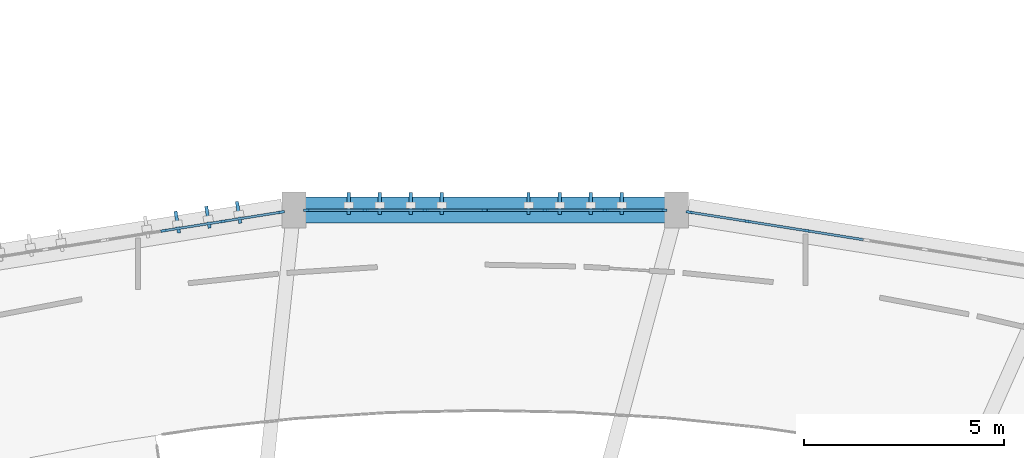
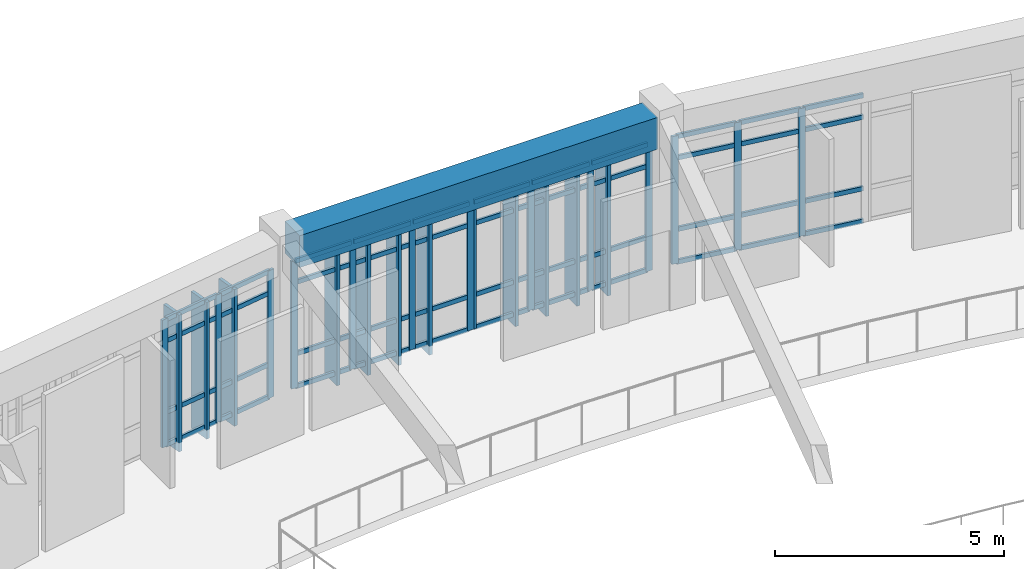
# One storey, part 21 of 54: 69 members, 1 beam, 4 elements without a shape of their own.
"""IFC4 building model written with IfcOpenShell, lengths in metres."""

from ifc_helpers import new_model, si_unit, direction, frame, origin, origin_2d, place, context, subcontext, project, spatial, rectangle, extrude, material, layer, layer_set, material_profile, profile_set, type_object, element, aggregate, save


model = new_model("IFC4")

# Units and contexts
model_context = context("Model", 3, precision=1e-05, world=origin(), true_north=direction((0.0, 1.0)))
body_context = subcontext(model_context, "Body", "Model", "MODEL_VIEW")
ifc_project = project(units=[si_unit("LENGTHUNIT", "METRE"), si_unit("AREAUNIT", "SQUARE_METRE"), si_unit("VOLUMEUNIT", "CUBIC_METRE"), si_unit("PLANEANGLEUNIT", "RADIAN"), si_unit("MASSUNIT", "GRAM", prefix="KILO")], contexts=[model_context])

# Site, building, storey
site_placement = place(None, origin())
site = spatial("IfcSite", under=ifc_project, at=site_placement, CompositionType="ELEMENT")
building_placement = place(site_placement, origin())
building = spatial("IfcBuilding", under=site, at=building_placement, Name="Miralva Faculty of Natural Sciences", CompositionType="ELEMENT")
storey_placement = place(building_placement, frame((0.0, 0.0, 19.5)))
storey = spatial("IfcBuildingStorey", under=building, at=storey_placement, Name="L04", CompositionType="ELEMENT", Elevation=19.5)

# Beam
ifc_material_1 = material(Name="Concrete C40/50", Category="concrete")
ifc_material_profile_1 = material_profile(ifc_material_1, rectangle(XDim=0.64990234375, YDim=0.85009765625, at=origin_2d()), Name="RC 650x850")
ifc_profile_set_1 = profile_set([ifc_material_profile_1], Name="Concrete C40/50")
beam_type = type_object("IfcBeamType", Name="BM-SP03", PredefinedType="SPANDREL", material=ifc_profile_set_1)
beam_placement = place(storey_placement, frame((94.513916015625, 39.81005859375, 3.8349609375), z_axis=(-1.0, 0.0, 0.0), x_axis=(0.0, -1.0, 0.0)))
element("IfcBeam", 1, at=beam_placement, inside=storey, type_object=beam_type, Name="Curved chord girder SHOUT L04-5", PredefinedType="SPANDREL", context=body_context, shape_type="SweptSolid", body=[
    extrude(rectangle(XDim=0.64990234375, YDim=0.85009765625, at=origin_2d()), origin(), (0.0, 0.0, 1.0), 9.02783203125),
])

# Curtain wall, members
ifc_material_2 = material(Name="Laminated solar-control glass", Category="glass")
ifc_layer = layer(ifc_material_2, 0.179931640625, Name="CW-ARC-L03")
ifc_layer_set = layer_set([ifc_layer], Name="Laminated solar-control glass")
curtain_wall_type = type_object("IfcCurtainWallType", Name="CW-ARC-L03", PredefinedType="USERDEFINED", material=ifc_layer_set)
curtain_wall_1_placement = place(storey_placement, origin())
curtain_wall_1 = element("IfcCurtainWall", 2, at=curtain_wall_1_placement, inside=storey, type_object=curtain_wall_type, Name="Curtain wall CW-03 L04-180", ObjectType="UNITISED CURTAIN WALL", PredefinedType="USERDEFINED")
ifc_material_3 = material(Name="Anodised aluminium", Category="aluminium")
ifc_material_profile_2 = material_profile(ifc_material_3, rectangle(XDim=0.06494140625, YDim=0.159912109375, at=origin_2d()), Name="MULLION 65x160")
ifc_profile_set_2 = profile_set([ifc_material_profile_2], Name="Anodised aluminium")
member_type_1 = type_object("IfcMemberType", Name="CW-M02", PredefinedType="MULLION", material=ifc_profile_set_2)
member_1_placement = place(storey_placement, frame((81.965576171875, 39.29736328125, 0.0), z_axis=(0.0, 0.0, 1.0), x_axis=(-0.156414990722, 0.987691424827, 0.0)))
member_1 = element("IfcMember", 3, at=member_1_placement, type_object=member_type_1, Name="CW-03 mullion 2", PredefinedType="MULLION", context=body_context, shape_type="SweptSolid", body=[
    extrude(rectangle(XDim=0.06494140625, YDim=0.159912109375, at=origin_2d()), origin(), (0.0, 0.0, 1.0), 3.405029296875),
])
member_2_placement = place(storey_placement, frame((83.448974609375, 39.532470703125, 0.0), z_axis=(0.0, 0.0, 1.0), x_axis=(-0.156414990722, 0.987691424827, 0.0)))
member_2 = element("IfcMember", 4, at=member_2_placement, type_object=member_type_1, Name="CW-03 mullion 3", PredefinedType="MULLION", context=body_context, shape_type="SweptSolid", body=[
    extrude(rectangle(XDim=0.06494140625, YDim=0.159912109375, at=origin_2d()), origin(), (0.0, 0.0, 1.0), 3.405029296875),
])
member_3_placement = place(storey_placement, frame((84.900390625, 39.76220703125, 0.0), z_axis=(0.0, 0.0, 1.0), x_axis=(-0.156414990722, 0.987691424827, 0.0)))
member_3 = element("IfcMember", 5, at=member_3_placement, type_object=member_type_1, Name="CW-03 mullion 4", PredefinedType="MULLION", context=body_context, shape_type="SweptSolid", body=[
    extrude(rectangle(XDim=0.06494140625, YDim=0.159912109375, at=origin_2d()), origin(), (0.0, 0.0, 1.0), 3.405029296875),
])

curtain_wall_2_placement = place(storey_placement, origin())
curtain_wall_2 = element("IfcCurtainWall", 6, at=curtain_wall_2_placement, inside=storey, type_object=curtain_wall_type, Name="Curtain wall CW-03 L04-181", ObjectType="UNITISED CURTAIN WALL", PredefinedType="USERDEFINED")
member_4_placement = place(storey_placement, frame((85.531494140625, 39.81201171875, 0.0), z_axis=(0.0, 0.0, 1.0), x_axis=(0.0, 1.0, 0.0)))
member_4 = element("IfcMember", 7, at=member_4_placement, type_object=member_type_1, Name="CW-03 mullion 1", PredefinedType="MULLION", context=body_context, shape_type="SweptSolid", body=[
    extrude(rectangle(XDim=0.06494140625, YDim=0.159912109375, at=origin_2d()), origin(), (0.0, 0.0, 1.0), 3.405029296875),
])
member_5_placement = place(storey_placement, frame((86.999267578125, 39.81201171875, 0.0), z_axis=(0.0, 0.0, 1.0), x_axis=(0.0, 1.0, 0.0)))
member_5 = element("IfcMember", 8, at=member_5_placement, type_object=member_type_1, Name="CW-03 mullion 2", PredefinedType="MULLION", context=body_context, shape_type="SweptSolid", body=[
    extrude(rectangle(XDim=0.06494140625, YDim=0.159912109375, at=origin_2d()), origin(), (0.0, 0.0, 1.0), 3.405029296875),
])
member_6_placement = place(storey_placement, frame((88.499755859375, 39.81201171875, 0.0), z_axis=(0.0, 0.0, 1.0), x_axis=(0.0, 1.0, 0.0)))
member_6 = element("IfcMember", 9, at=member_6_placement, type_object=member_type_1, Name="CW-03 mullion 3", PredefinedType="MULLION", context=body_context, shape_type="SweptSolid", body=[
    extrude(rectangle(XDim=0.06494140625, YDim=0.159912109375, at=origin_2d()), origin(), (0.0, 0.0, 1.0), 3.405029296875),
])
member_7_placement = place(storey_placement, frame((89.967529296875, 39.81201171875, 0.0), z_axis=(0.0, 0.0, 1.0), x_axis=(0.0, 1.0, 0.0)))
member_7 = element("IfcMember", 10, at=member_7_placement, type_object=member_type_1, Name="CW-03 mullion 4", PredefinedType="MULLION", context=body_context, shape_type="SweptSolid", body=[
    extrude(rectangle(XDim=0.06494140625, YDim=0.159912109375, at=origin_2d()), origin(), (0.0, 0.0, 1.0), 3.405029296875),
])

curtain_wall_3_placement = place(storey_placement, origin())
curtain_wall_3 = element("IfcCurtainWall", 11, at=curtain_wall_3_placement, inside=storey, type_object=curtain_wall_type, Name="Curtain wall CW-03 L04-182", ObjectType="UNITISED CURTAIN WALL", PredefinedType="USERDEFINED")
member_8_placement = place(storey_placement, frame((90.027587890625, 39.81201171875, 0.0), z_axis=(0.0, 0.0, 1.0), x_axis=(0.0, 1.0, 0.0)))
member_8 = element("IfcMember", 12, at=member_8_placement, type_object=member_type_1, Name="CW-03 mullion 1", PredefinedType="MULLION", context=body_context, shape_type="SweptSolid", body=[
    extrude(rectangle(XDim=0.06494140625, YDim=0.159912109375, at=origin_2d()), origin(), (0.0, 0.0, 1.0), 3.405029296875),
])
member_9_placement = place(storey_placement, frame((91.4970703125, 39.81201171875, 0.0), z_axis=(0.0, 0.0, 1.0), x_axis=(0.0, 1.0, 0.0)))
member_9 = element("IfcMember", 13, at=member_9_placement, type_object=member_type_1, Name="CW-03 mullion 2", PredefinedType="MULLION", context=body_context, shape_type="SweptSolid", body=[
    extrude(rectangle(XDim=0.06494140625, YDim=0.159912109375, at=origin_2d()), origin(), (0.0, 0.0, 1.0), 3.405029296875),
])
member_10_placement = place(storey_placement, frame((92.9990234375, 39.81201171875, 0.0), z_axis=(0.0, 0.0, 1.0), x_axis=(0.0, 1.0, 0.0)))
member_10 = element("IfcMember", 14, at=member_10_placement, type_object=member_type_1, Name="CW-03 mullion 3", PredefinedType="MULLION", context=body_context, shape_type="SweptSolid", body=[
    extrude(rectangle(XDim=0.06494140625, YDim=0.159912109375, at=origin_2d()), origin(), (0.0, 0.0, 1.0), 3.405029296875),
])
member_11_placement = place(storey_placement, frame((94.468505859375, 39.81201171875, 0.0), z_axis=(0.0, 0.0, 1.0), x_axis=(0.0, 1.0, 0.0)))
member_11 = element("IfcMember", 15, at=member_11_placement, type_object=member_type_1, Name="CW-03 mullion 4", PredefinedType="MULLION", context=body_context, shape_type="SweptSolid", body=[
    extrude(rectangle(XDim=0.06494140625, YDim=0.159912109375, at=origin_2d()), origin(), (0.0, 0.0, 1.0), 3.405029296875),
])

curtain_wall_4_placement = place(storey_placement, origin())
curtain_wall_4 = element("IfcCurtainWall", 16, at=curtain_wall_4_placement, inside=storey, type_object=curtain_wall_type, Name="Curtain wall CW-03 L04-183", ObjectType="UNITISED CURTAIN WALL", PredefinedType="USERDEFINED")
member_12_placement = place(storey_placement, frame((95.099609375, 39.76220703125, 0.0), z_axis=(0.0, 0.0, 1.0), x_axis=(0.15640978572, 0.987692249099, 0.0)))
member_12 = element("IfcMember", 17, at=member_12_placement, type_object=member_type_1, Name="CW-03 mullion 1", PredefinedType="MULLION", context=body_context, shape_type="SweptSolid", body=[
    extrude(rectangle(XDim=0.06494140625, YDim=0.159912109375, at=origin_2d()), origin(), (0.0, 0.0, 1.0), 3.405029296875),
])
member_13_placement = place(storey_placement, frame((96.54931640625, 39.53271484375, 0.0), z_axis=(0.0, 0.0, 1.0), x_axis=(0.15640978572, 0.987692249099, 0.0)))
member_13 = element("IfcMember", 18, at=member_13_placement, type_object=member_type_1, Name="CW-03 mullion 2", PredefinedType="MULLION", context=body_context, shape_type="SweptSolid", body=[
    extrude(rectangle(XDim=0.06494140625, YDim=0.159912109375, at=origin_2d()), origin(), (0.0, 0.0, 1.0), 3.405029296875),
])
member_14_placement = place(storey_placement, frame((98.03125, 39.2978515625, 0.0), z_axis=(0.0, 0.0, 1.0), x_axis=(0.15640978572, 0.987692249099, 0.0)))
member_14 = element("IfcMember", 19, at=member_14_placement, type_object=member_type_1, Name="CW-03 mullion 3", PredefinedType="MULLION", context=body_context, shape_type="SweptSolid", body=[
    extrude(rectangle(XDim=0.06494140625, YDim=0.159912109375, at=origin_2d()), origin(), (0.0, 0.0, 1.0), 3.405029296875),
])

# Member
ifc_material_profile_3 = material_profile(ifc_material_3, rectangle(XDim=0.06005859375, YDim=0.1201171875, at=origin_2d()), Name="TRANSOM 60x120")
ifc_profile_set_3 = profile_set([ifc_material_profile_3], Name="Anodised aluminium")
member_type_2 = type_object("IfcMemberType", Name="CW-T02", PredefinedType="USERDEFINED", material=ifc_profile_set_3)
member_15_placement = place(storey_placement, frame((81.99755859375, 39.302490234375, 0.030029296875), z_axis=(0.987684327904, 0.156459798074, 0.0), x_axis=(-0.156459798074, 0.987684327904, 0.0)))
member_15 = element("IfcMember", 20, at=member_15_placement, type_object=member_type_2, Name="CW-03 transom 2.1", ObjectType="TRANSOM", PredefinedType="USERDEFINED", context=body_context, shape_type="SweptSolid", body=[
    extrude(rectangle(XDim=0.06005859375, YDim=0.1201171875, at=origin_2d()), origin(), (0.0, 0.0, 1.0), 1.43701171875),
])

member_16_placement = place(storey_placement, frame((81.99755859375, 39.302490234375, 0.89990234375), z_axis=(0.987684327904, 0.156459798074, 0.0), x_axis=(-0.156459798074, 0.987684327904, 0.0)))
member_16 = element("IfcMember", 21, at=member_16_placement, type_object=member_type_2, Name="CW-03 transom 2.2", ObjectType="TRANSOM", PredefinedType="USERDEFINED", context=body_context, shape_type="SweptSolid", body=[
    extrude(rectangle(XDim=0.06005859375, YDim=0.1201171875, at=origin_2d()), origin(), (0.0, 0.0, 1.0), 1.43701171875),
])

member_17_placement = place(storey_placement, frame((81.99755859375, 39.302490234375, 2.804931640625), z_axis=(0.987684327904, 0.156459798074, 0.0), x_axis=(-0.156459798074, 0.987684327904, 0.0)))
member_17 = element("IfcMember", 22, at=member_17_placement, type_object=member_type_2, Name="CW-03 transom 2.3", ObjectType="TRANSOM", PredefinedType="USERDEFINED", context=body_context, shape_type="SweptSolid", body=[
    extrude(rectangle(XDim=0.06005859375, YDim=0.1201171875, at=origin_2d()), origin(), (0.0, 0.0, 1.0), 1.43701171875),
])

member_18_placement = place(storey_placement, frame((81.99755859375, 39.302490234375, 3.375), z_axis=(0.987684327904, 0.156459798074, 0.0), x_axis=(-0.156459798074, 0.987684327904, 0.0)))
member_18 = element("IfcMember", 23, at=member_18_placement, type_object=member_type_2, Name="CW-03 transom 2.4", ObjectType="TRANSOM", PredefinedType="USERDEFINED", context=body_context, shape_type="SweptSolid", body=[
    extrude(rectangle(XDim=0.06005859375, YDim=0.1201171875, at=origin_2d()), origin(), (0.0, 0.0, 1.0), 1.43701171875),
])

member_19_placement = place(storey_placement, frame((83.481201171875, 39.537353515625, 0.030029296875), z_axis=(0.987686739548, 0.156444573318, 0.0), x_axis=(-0.156444573318, 0.987686739548, 0.0)))
member_19 = element("IfcMember", 24, at=member_19_placement, type_object=member_type_2, Name="CW-03 transom 3.1", ObjectType="TRANSOM", PredefinedType="USERDEFINED", context=body_context, shape_type="SweptSolid", body=[
    extrude(rectangle(XDim=0.06005859375, YDim=0.1201171875, at=origin_2d()), origin(), (0.0, 0.0, 1.0), 1.404541015625),
])

member_20_placement = place(storey_placement, frame((83.481201171875, 39.537353515625, 0.89990234375), z_axis=(0.987686739548, 0.156444573318, 0.0), x_axis=(-0.156444573318, 0.987686739548, 0.0)))
member_20 = element("IfcMember", 25, at=member_20_placement, type_object=member_type_2, Name="CW-03 transom 3.2", ObjectType="TRANSOM", PredefinedType="USERDEFINED", context=body_context, shape_type="SweptSolid", body=[
    extrude(rectangle(XDim=0.06005859375, YDim=0.1201171875, at=origin_2d()), origin(), (0.0, 0.0, 1.0), 1.404541015625),
])

member_21_placement = place(storey_placement, frame((83.481201171875, 39.537353515625, 2.804931640625), z_axis=(0.987686739548, 0.156444573318, 0.0), x_axis=(-0.156444573318, 0.987686739548, 0.0)))
member_21 = element("IfcMember", 26, at=member_21_placement, type_object=member_type_2, Name="CW-03 transom 3.3", ObjectType="TRANSOM", PredefinedType="USERDEFINED", context=body_context, shape_type="SweptSolid", body=[
    extrude(rectangle(XDim=0.06005859375, YDim=0.1201171875, at=origin_2d()), origin(), (0.0, 0.0, 1.0), 1.404541015625),
])

member_22_placement = place(storey_placement, frame((83.481201171875, 39.537353515625, 3.375), z_axis=(0.987686739548, 0.156444573318, 0.0), x_axis=(-0.156444573318, 0.987686739548, 0.0)))
member_22 = element("IfcMember", 27, at=member_22_placement, type_object=member_type_2, Name="CW-03 transom 3.4", ObjectType="TRANSOM", PredefinedType="USERDEFINED", context=body_context, shape_type="SweptSolid", body=[
    extrude(rectangle(XDim=0.06005859375, YDim=0.1201171875, at=origin_2d()), origin(), (0.0, 0.0, 1.0), 1.404541015625),
])

aggregate(curtain_wall_1, [member_1, member_2, member_3, member_15, member_16, member_17, member_18, member_19, member_20, member_21, member_22])

member_23_placement = place(storey_placement, frame((85.56396484375, 39.81201171875, 0.030029296875), z_axis=(1.0, 0.0, 0.0), x_axis=(0.0, 1.0, 0.0)))
member_23 = element("IfcMember", 28, at=member_23_placement, type_object=member_type_2, Name="CW-03 transom 1.1", ObjectType="TRANSOM", PredefinedType="USERDEFINED", context=body_context, shape_type="SweptSolid", body=[
    extrude(rectangle(XDim=0.06005859375, YDim=0.1201171875, at=origin_2d()), origin(), (0.0, 0.0, 1.0), 1.40283203125),
])

member_24_placement = place(storey_placement, frame((85.56396484375, 39.81201171875, 0.89990234375), z_axis=(1.0, 0.0, 0.0), x_axis=(0.0, 1.0, 0.0)))
member_24 = element("IfcMember", 29, at=member_24_placement, type_object=member_type_2, Name="CW-03 transom 1.2", ObjectType="TRANSOM", PredefinedType="USERDEFINED", context=body_context, shape_type="SweptSolid", body=[
    extrude(rectangle(XDim=0.06005859375, YDim=0.1201171875, at=origin_2d()), origin(), (0.0, 0.0, 1.0), 1.40283203125),
])

member_25_placement = place(storey_placement, frame((85.56396484375, 39.81201171875, 2.804931640625), z_axis=(1.0, 0.0, 0.0), x_axis=(0.0, 1.0, 0.0)))
member_25 = element("IfcMember", 30, at=member_25_placement, type_object=member_type_2, Name="CW-03 transom 1.3", ObjectType="TRANSOM", PredefinedType="USERDEFINED", context=body_context, shape_type="SweptSolid", body=[
    extrude(rectangle(XDim=0.06005859375, YDim=0.1201171875, at=origin_2d()), origin(), (0.0, 0.0, 1.0), 1.40283203125),
])

member_26_placement = place(storey_placement, frame((85.56396484375, 39.81201171875, 3.375), z_axis=(1.0, 0.0, 0.0), x_axis=(0.0, 1.0, 0.0)))
member_26 = element("IfcMember", 31, at=member_26_placement, type_object=member_type_2, Name="CW-03 transom 1.4", ObjectType="TRANSOM", PredefinedType="USERDEFINED", context=body_context, shape_type="SweptSolid", body=[
    extrude(rectangle(XDim=0.06005859375, YDim=0.1201171875, at=origin_2d()), origin(), (0.0, 0.0, 1.0), 1.40283203125),
])

member_27_placement = place(storey_placement, frame((87.03173828125, 39.81201171875, 0.030029296875), z_axis=(1.0, 0.0, 0.0), x_axis=(0.0, 1.0, 0.0)))
member_27 = element("IfcMember", 32, at=member_27_placement, type_object=member_type_2, Name="CW-03 transom 2.1", ObjectType="TRANSOM", PredefinedType="USERDEFINED", context=body_context, shape_type="SweptSolid", body=[
    extrude(rectangle(XDim=0.06005859375, YDim=0.1201171875, at=origin_2d()), origin(), (0.0, 0.0, 1.0), 1.435546875),
])

member_28_placement = place(storey_placement, frame((87.03173828125, 39.81201171875, 0.89990234375), z_axis=(1.0, 0.0, 0.0), x_axis=(0.0, 1.0, 0.0)))
member_28 = element("IfcMember", 33, at=member_28_placement, type_object=member_type_2, Name="CW-03 transom 2.2", ObjectType="TRANSOM", PredefinedType="USERDEFINED", context=body_context, shape_type="SweptSolid", body=[
    extrude(rectangle(XDim=0.06005859375, YDim=0.1201171875, at=origin_2d()), origin(), (0.0, 0.0, 1.0), 1.435546875),
])

member_29_placement = place(storey_placement, frame((87.03173828125, 39.81201171875, 2.804931640625), z_axis=(1.0, 0.0, 0.0), x_axis=(0.0, 1.0, 0.0)))
member_29 = element("IfcMember", 34, at=member_29_placement, type_object=member_type_2, Name="CW-03 transom 2.3", ObjectType="TRANSOM", PredefinedType="USERDEFINED", context=body_context, shape_type="SweptSolid", body=[
    extrude(rectangle(XDim=0.06005859375, YDim=0.1201171875, at=origin_2d()), origin(), (0.0, 0.0, 1.0), 1.435546875),
])

member_30_placement = place(storey_placement, frame((87.03173828125, 39.81201171875, 3.375), z_axis=(1.0, 0.0, 0.0), x_axis=(0.0, 1.0, 0.0)))
member_30 = element("IfcMember", 35, at=member_30_placement, type_object=member_type_2, Name="CW-03 transom 2.4", ObjectType="TRANSOM", PredefinedType="USERDEFINED", context=body_context, shape_type="SweptSolid", body=[
    extrude(rectangle(XDim=0.06005859375, YDim=0.1201171875, at=origin_2d()), origin(), (0.0, 0.0, 1.0), 1.435546875),
])

member_31_placement = place(storey_placement, frame((88.5322265625, 39.81201171875, 0.030029296875), z_axis=(1.0, 0.0, 0.0), x_axis=(0.0, 1.0, 0.0)))
member_31 = element("IfcMember", 36, at=member_31_placement, type_object=member_type_2, Name="CW-03 transom 3.1", ObjectType="TRANSOM", PredefinedType="USERDEFINED", context=body_context, shape_type="SweptSolid", body=[
    extrude(rectangle(XDim=0.06005859375, YDim=0.1201171875, at=origin_2d()), origin(), (0.0, 0.0, 1.0), 1.40283203125),
])

member_32_placement = place(storey_placement, frame((88.5322265625, 39.81201171875, 0.89990234375), z_axis=(1.0, 0.0, 0.0), x_axis=(0.0, 1.0, 0.0)))
member_32 = element("IfcMember", 37, at=member_32_placement, type_object=member_type_2, Name="CW-03 transom 3.2", ObjectType="TRANSOM", PredefinedType="USERDEFINED", context=body_context, shape_type="SweptSolid", body=[
    extrude(rectangle(XDim=0.06005859375, YDim=0.1201171875, at=origin_2d()), origin(), (0.0, 0.0, 1.0), 1.40283203125),
])

member_33_placement = place(storey_placement, frame((88.5322265625, 39.81201171875, 2.804931640625), z_axis=(1.0, 0.0, 0.0), x_axis=(0.0, 1.0, 0.0)))
member_33 = element("IfcMember", 38, at=member_33_placement, type_object=member_type_2, Name="CW-03 transom 3.3", ObjectType="TRANSOM", PredefinedType="USERDEFINED", context=body_context, shape_type="SweptSolid", body=[
    extrude(rectangle(XDim=0.06005859375, YDim=0.1201171875, at=origin_2d()), origin(), (0.0, 0.0, 1.0), 1.40283203125),
])

member_34_placement = place(storey_placement, frame((88.5322265625, 39.81201171875, 3.375), z_axis=(1.0, 0.0, 0.0), x_axis=(0.0, 1.0, 0.0)))
member_34 = element("IfcMember", 39, at=member_34_placement, type_object=member_type_2, Name="CW-03 transom 3.4", ObjectType="TRANSOM", PredefinedType="USERDEFINED", context=body_context, shape_type="SweptSolid", body=[
    extrude(rectangle(XDim=0.06005859375, YDim=0.1201171875, at=origin_2d()), origin(), (0.0, 0.0, 1.0), 1.40283203125),
])

aggregate(curtain_wall_2, [member_4, member_5, member_6, member_7, member_23, member_24, member_25, member_26, member_27, member_28, member_29, member_30, member_31, member_32, member_33, member_34])

member_35_placement = place(storey_placement, frame((90.06005859375, 39.81201171875, 0.030029296875), z_axis=(1.0, 0.0, 0.0), x_axis=(0.0, 1.0, 0.0)))
member_35 = element("IfcMember", 40, at=member_35_placement, type_object=member_type_2, Name="CW-03 transom 1.1", ObjectType="TRANSOM", PredefinedType="USERDEFINED", context=body_context, shape_type="SweptSolid", body=[
    extrude(rectangle(XDim=0.06005859375, YDim=0.1201171875, at=origin_2d()), origin(), (0.0, 0.0, 1.0), 1.404541015625),
])

member_36_placement = place(storey_placement, frame((90.06005859375, 39.81201171875, 0.89990234375), z_axis=(1.0, 0.0, 0.0), x_axis=(0.0, 1.0, 0.0)))
member_36 = element("IfcMember", 41, at=member_36_placement, type_object=member_type_2, Name="CW-03 transom 1.2", ObjectType="TRANSOM", PredefinedType="USERDEFINED", context=body_context, shape_type="SweptSolid", body=[
    extrude(rectangle(XDim=0.06005859375, YDim=0.1201171875, at=origin_2d()), origin(), (0.0, 0.0, 1.0), 1.404541015625),
])

member_37_placement = place(storey_placement, frame((90.06005859375, 39.81201171875, 2.804931640625), z_axis=(1.0, 0.0, 0.0), x_axis=(0.0, 1.0, 0.0)))
member_37 = element("IfcMember", 42, at=member_37_placement, type_object=member_type_2, Name="CW-03 transom 1.3", ObjectType="TRANSOM", PredefinedType="USERDEFINED", context=body_context, shape_type="SweptSolid", body=[
    extrude(rectangle(XDim=0.06005859375, YDim=0.1201171875, at=origin_2d()), origin(), (0.0, 0.0, 1.0), 1.404541015625),
])

member_38_placement = place(storey_placement, frame((90.06005859375, 39.81201171875, 3.375), z_axis=(1.0, 0.0, 0.0), x_axis=(0.0, 1.0, 0.0)))
member_38 = element("IfcMember", 43, at=member_38_placement, type_object=member_type_2, Name="CW-03 transom 1.4", ObjectType="TRANSOM", PredefinedType="USERDEFINED", context=body_context, shape_type="SweptSolid", body=[
    extrude(rectangle(XDim=0.06005859375, YDim=0.1201171875, at=origin_2d()), origin(), (0.0, 0.0, 1.0), 1.404541015625),
])

member_39_placement = place(storey_placement, frame((91.529541015625, 39.81201171875, 0.030029296875), z_axis=(1.0, 0.0, 0.0), x_axis=(0.0, 1.0, 0.0)))
member_39 = element("IfcMember", 44, at=member_39_placement, type_object=member_type_2, Name="CW-03 transom 2.1", ObjectType="TRANSOM", PredefinedType="USERDEFINED", context=body_context, shape_type="SweptSolid", body=[
    extrude(rectangle(XDim=0.06005859375, YDim=0.1201171875, at=origin_2d()), origin(), (0.0, 0.0, 1.0), 1.43701171875),
])

member_40_placement = place(storey_placement, frame((91.529541015625, 39.81201171875, 0.89990234375), z_axis=(1.0, 0.0, 0.0), x_axis=(0.0, 1.0, 0.0)))
member_40 = element("IfcMember", 45, at=member_40_placement, type_object=member_type_2, Name="CW-03 transom 2.2", ObjectType="TRANSOM", PredefinedType="USERDEFINED", context=body_context, shape_type="SweptSolid", body=[
    extrude(rectangle(XDim=0.06005859375, YDim=0.1201171875, at=origin_2d()), origin(), (0.0, 0.0, 1.0), 1.43701171875),
])

member_41_placement = place(storey_placement, frame((91.529541015625, 39.81201171875, 2.804931640625), z_axis=(1.0, 0.0, 0.0), x_axis=(0.0, 1.0, 0.0)))
member_41 = element("IfcMember", 46, at=member_41_placement, type_object=member_type_2, Name="CW-03 transom 2.3", ObjectType="TRANSOM", PredefinedType="USERDEFINED", context=body_context, shape_type="SweptSolid", body=[
    extrude(rectangle(XDim=0.06005859375, YDim=0.1201171875, at=origin_2d()), origin(), (0.0, 0.0, 1.0), 1.43701171875),
])

member_42_placement = place(storey_placement, frame((91.529541015625, 39.81201171875, 3.375), z_axis=(1.0, 0.0, 0.0), x_axis=(0.0, 1.0, 0.0)))
member_42 = element("IfcMember", 47, at=member_42_placement, type_object=member_type_2, Name="CW-03 transom 2.4", ObjectType="TRANSOM", PredefinedType="USERDEFINED", context=body_context, shape_type="SweptSolid", body=[
    extrude(rectangle(XDim=0.06005859375, YDim=0.1201171875, at=origin_2d()), origin(), (0.0, 0.0, 1.0), 1.43701171875),
])

member_43_placement = place(storey_placement, frame((93.031494140625, 39.81201171875, 0.030029296875), z_axis=(1.0, 0.0, 0.0), x_axis=(0.0, 1.0, 0.0)))
member_43 = element("IfcMember", 48, at=member_43_placement, type_object=member_type_2, Name="CW-03 transom 3.1", ObjectType="TRANSOM", PredefinedType="USERDEFINED", context=body_context, shape_type="SweptSolid", body=[
    extrude(rectangle(XDim=0.06005859375, YDim=0.1201171875, at=origin_2d()), origin(), (0.0, 0.0, 1.0), 1.404541015625),
])

member_44_placement = place(storey_placement, frame((93.031494140625, 39.81201171875, 0.89990234375), z_axis=(1.0, 0.0, 0.0), x_axis=(0.0, 1.0, 0.0)))
member_44 = element("IfcMember", 49, at=member_44_placement, type_object=member_type_2, Name="CW-03 transom 3.2", ObjectType="TRANSOM", PredefinedType="USERDEFINED", context=body_context, shape_type="SweptSolid", body=[
    extrude(rectangle(XDim=0.06005859375, YDim=0.1201171875, at=origin_2d()), origin(), (0.0, 0.0, 1.0), 1.404541015625),
])

member_45_placement = place(storey_placement, frame((93.031494140625, 39.81201171875, 2.804931640625), z_axis=(1.0, 0.0, 0.0), x_axis=(0.0, 1.0, 0.0)))
member_45 = element("IfcMember", 50, at=member_45_placement, type_object=member_type_2, Name="CW-03 transom 3.3", ObjectType="TRANSOM", PredefinedType="USERDEFINED", context=body_context, shape_type="SweptSolid", body=[
    extrude(rectangle(XDim=0.06005859375, YDim=0.1201171875, at=origin_2d()), origin(), (0.0, 0.0, 1.0), 1.404541015625),
])

member_46_placement = place(storey_placement, frame((93.031494140625, 39.81201171875, 3.375), z_axis=(1.0, 0.0, 0.0), x_axis=(0.0, 1.0, 0.0)))
member_46 = element("IfcMember", 51, at=member_46_placement, type_object=member_type_2, Name="CW-03 transom 3.4", ObjectType="TRANSOM", PredefinedType="USERDEFINED", context=body_context, shape_type="SweptSolid", body=[
    extrude(rectangle(XDim=0.06005859375, YDim=0.1201171875, at=origin_2d()), origin(), (0.0, 0.0, 1.0), 1.404541015625),
])

aggregate(curtain_wall_3, [member_8, member_9, member_10, member_11, member_35, member_36, member_37, member_38, member_39, member_40, member_41, member_42, member_43, member_44, member_45, member_46])

member_47_placement = place(storey_placement, frame((95.131591796875, 39.757080078125, 0.030029296875), z_axis=(0.987688073971, -0.156436148432, 0.0), x_axis=(0.156436148432, 0.987688073971, 0.0)))
member_47 = element("IfcMember", 52, at=member_47_placement, type_object=member_type_2, Name="CW-03 transom 1.1", ObjectType="TRANSOM", PredefinedType="USERDEFINED", context=body_context, shape_type="SweptSolid", body=[
    extrude(rectangle(XDim=0.06005859375, YDim=0.1201171875, at=origin_2d()), origin(), (0.0, 0.0, 1.0), 1.403076171875),
])

member_48_placement = place(storey_placement, frame((95.131591796875, 39.757080078125, 0.89990234375), z_axis=(0.987688073971, -0.156436148432, 0.0), x_axis=(0.156436148432, 0.987688073971, 0.0)))
member_48 = element("IfcMember", 53, at=member_48_placement, type_object=member_type_2, Name="CW-03 transom 1.2", ObjectType="TRANSOM", PredefinedType="USERDEFINED", context=body_context, shape_type="SweptSolid", body=[
    extrude(rectangle(XDim=0.06005859375, YDim=0.1201171875, at=origin_2d()), origin(), (0.0, 0.0, 1.0), 1.403076171875),
])

member_49_placement = place(storey_placement, frame((95.131591796875, 39.757080078125, 2.804931640625), z_axis=(0.987688073971, -0.156436148432, 0.0), x_axis=(0.156436148432, 0.987688073971, 0.0)))
member_49 = element("IfcMember", 54, at=member_49_placement, type_object=member_type_2, Name="CW-03 transom 1.3", ObjectType="TRANSOM", PredefinedType="USERDEFINED", context=body_context, shape_type="SweptSolid", body=[
    extrude(rectangle(XDim=0.06005859375, YDim=0.1201171875, at=origin_2d()), origin(), (0.0, 0.0, 1.0), 1.403076171875),
])

member_50_placement = place(storey_placement, frame((95.131591796875, 39.757080078125, 3.375), z_axis=(0.987688073971, -0.156436148432, 0.0), x_axis=(0.156436148432, 0.987688073971, 0.0)))
member_50 = element("IfcMember", 55, at=member_50_placement, type_object=member_type_2, Name="CW-03 transom 1.4", ObjectType="TRANSOM", PredefinedType="USERDEFINED", context=body_context, shape_type="SweptSolid", body=[
    extrude(rectangle(XDim=0.06005859375, YDim=0.1201171875, at=origin_2d()), origin(), (0.0, 0.0, 1.0), 1.403076171875),
])

member_51_placement = place(storey_placement, frame((96.58154296875, 39.527587890625, 0.030029296875), z_axis=(0.987677300474, -0.156504153709, 0.0), x_axis=(0.156504153709, 0.987677300474, 0.0)))
member_51 = element("IfcMember", 56, at=member_51_placement, type_object=member_type_2, Name="CW-03 transom 2.1", ObjectType="TRANSOM", PredefinedType="USERDEFINED", context=body_context, shape_type="SweptSolid", body=[
    extrude(rectangle(XDim=0.06005859375, YDim=0.1201171875, at=origin_2d()), origin(), (0.0, 0.0, 1.0), 1.43505859375),
])

member_52_placement = place(storey_placement, frame((96.58154296875, 39.527587890625, 0.89990234375), z_axis=(0.987677300474, -0.156504153709, 0.0), x_axis=(0.156504153709, 0.987677300474, 0.0)))
member_52 = element("IfcMember", 57, at=member_52_placement, type_object=member_type_2, Name="CW-03 transom 2.2", ObjectType="TRANSOM", PredefinedType="USERDEFINED", context=body_context, shape_type="SweptSolid", body=[
    extrude(rectangle(XDim=0.06005859375, YDim=0.1201171875, at=origin_2d()), origin(), (0.0, 0.0, 1.0), 1.43505859375),
])

member_53_placement = place(storey_placement, frame((96.58154296875, 39.527587890625, 2.804931640625), z_axis=(0.987677300474, -0.156504153709, 0.0), x_axis=(0.156504153709, 0.987677300474, 0.0)))
member_53 = element("IfcMember", 58, at=member_53_placement, type_object=member_type_2, Name="CW-03 transom 2.3", ObjectType="TRANSOM", PredefinedType="USERDEFINED", context=body_context, shape_type="SweptSolid", body=[
    extrude(rectangle(XDim=0.06005859375, YDim=0.1201171875, at=origin_2d()), origin(), (0.0, 0.0, 1.0), 1.43505859375),
])

member_54_placement = place(storey_placement, frame((96.58154296875, 39.527587890625, 3.375), z_axis=(0.987677300474, -0.156504153709, 0.0), x_axis=(0.156504153709, 0.987677300474, 0.0)))
member_54 = element("IfcMember", 59, at=member_54_placement, type_object=member_type_2, Name="CW-03 transom 2.4", ObjectType="TRANSOM", PredefinedType="USERDEFINED", context=body_context, shape_type="SweptSolid", body=[
    extrude(rectangle(XDim=0.06005859375, YDim=0.1201171875, at=origin_2d()), origin(), (0.0, 0.0, 1.0), 1.43505859375),
])

member_55_placement = place(storey_placement, frame((98.063232421875, 39.29296875, 0.030029296875), z_axis=(0.987688073971, -0.156436148432, 0.0), x_axis=(0.156436148432, 0.987688073971, 0.0)))
member_55 = element("IfcMember", 60, at=member_55_placement, type_object=member_type_2, Name="CW-03 transom 3.1", ObjectType="TRANSOM", PredefinedType="USERDEFINED", context=body_context, shape_type="SweptSolid", body=[
    extrude(rectangle(XDim=0.06005859375, YDim=0.1201171875, at=origin_2d()), origin(), (0.0, 0.0, 1.0), 1.403076171875),
])

member_56_placement = place(storey_placement, frame((98.063232421875, 39.29296875, 0.89990234375), z_axis=(0.987688073971, -0.156436148432, 0.0), x_axis=(0.156436148432, 0.987688073971, 0.0)))
member_56 = element("IfcMember", 61, at=member_56_placement, type_object=member_type_2, Name="CW-03 transom 3.2", ObjectType="TRANSOM", PredefinedType="USERDEFINED", context=body_context, shape_type="SweptSolid", body=[
    extrude(rectangle(XDim=0.06005859375, YDim=0.1201171875, at=origin_2d()), origin(), (0.0, 0.0, 1.0), 1.403076171875),
])

member_57_placement = place(storey_placement, frame((98.063232421875, 39.29296875, 2.804931640625), z_axis=(0.987688073971, -0.156436148432, 0.0), x_axis=(0.156436148432, 0.987688073971, 0.0)))
member_57 = element("IfcMember", 62, at=member_57_placement, type_object=member_type_2, Name="CW-03 transom 3.3", ObjectType="TRANSOM", PredefinedType="USERDEFINED", context=body_context, shape_type="SweptSolid", body=[
    extrude(rectangle(XDim=0.06005859375, YDim=0.1201171875, at=origin_2d()), origin(), (0.0, 0.0, 1.0), 1.403076171875),
])

member_58_placement = place(storey_placement, frame((98.063232421875, 39.29296875, 3.375), z_axis=(0.987688073971, -0.156436148432, 0.0), x_axis=(0.156436148432, 0.987688073971, 0.0)))
member_58 = element("IfcMember", 63, at=member_58_placement, type_object=member_type_2, Name="CW-03 transom 3.4", ObjectType="TRANSOM", PredefinedType="USERDEFINED", context=body_context, shape_type="SweptSolid", body=[
    extrude(rectangle(XDim=0.06005859375, YDim=0.1201171875, at=origin_2d()), origin(), (0.0, 0.0, 1.0), 1.403076171875),
])

aggregate(curtain_wall_4, [member_12, member_13, member_14, member_47, member_48, member_49, member_50, member_51, member_52, member_53, member_54, member_55, member_56, member_57, member_58])

# Members
ifc_material_profile_4 = material_profile(ifc_material_3, rectangle(XDim=0.080078125, YDim=0.550048828125, at=origin_2d()), Name="FIN 550x80")
ifc_profile_set_4 = profile_set([ifc_material_profile_4], Name="Anodised aluminium")
member_type_3 = type_object("IfcMemberType", Name="MEM-SF01", PredefinedType="USERDEFINED", material=ifc_profile_set_4)
for number, where, z_axis, x_axis, name in (
    (64, (82.298828125, 39.51220703125, -0.239990234375), (0.0, 0.0, 1.0), (-0.987688340595, -0.15643446504, 0.0), "Solar shading fin SF-01 L04-154"),
    (65, (83.065673828125, 39.6337890625, -0.239990234375), (0.0, 0.0, 1.0), (-0.987688340595, -0.15643446504, 0.0), "Solar shading fin SF-01 L04-155"),
    (66, (83.83251953125, 39.755126953125, -0.239990234375), (0.0, 0.0, 1.0), (-0.987688340595, -0.15643446504, 0.0), "Solar shading fin SF-01 L04-156"),
    (67, (86.586669921875, 39.971923828125, -0.239990234375), (0.0, 0.0, 1.0), (-1.0, 0.0, 0.0), "Solar shading fin SF-01 L04-157"),
    (68, (87.36181640625, 39.971923828125, -0.239990234375), (0.0, 0.0, 1.0), (-1.0, 0.0, 0.0), "Solar shading fin SF-01 L04-158"),
    (69, (88.13720703125, 39.971923828125, -0.239990234375), (0.0, 0.0, 1.0), (-1.0, 0.0, 0.0), "Solar shading fin SF-01 L04-159"),
    (70, (88.912353515625, 39.971923828125, -0.239990234375), (0.0, 0.0, 1.0), (-1.0, 0.0, 0.0), "Solar shading fin SF-01 L04-160"),
    (71, (91.083251953125, 39.971923828125, -0.239990234375), (0.0, 0.0, 1.0), (-1.0, 0.0, 0.0), "Solar shading fin SF-01 L04-161"),
    (72, (91.85986328125, 39.971923828125, -0.239990234375), (0.0, 0.0, 1.0), (-1.0, 0.0, 0.0), "Solar shading fin SF-01 L04-162"),
    (73, (92.63623046875, 39.971923828125, -0.239990234375), (0.0, 0.0, 1.0), (-1.0, 0.0, 0.0), "Solar shading fin SF-01 L04-163"),
    (74, (93.412841796875, 39.971923828125, -0.239990234375), (0.0, 0.0, 1.0), (-1.0, 0.0, 0.0), "Solar shading fin SF-01 L04-164"),
):
    element("IfcMember", number, at=place(storey_placement, frame(where, z_axis=z_axis, x_axis=x_axis)), inside=storey, type_object=member_type_3, Name=name, ObjectType="SUNSHADE", PredefinedType="USERDEFINED", context=body_context, shape_type="SweptSolid", body=[
        extrude(rectangle(XDim=0.080078125, YDim=0.550048828125, at=origin_2d()), origin(), (0.0, 0.0, 1.0), 3.64501953125),
    ])

save(model, "model.ifc")
